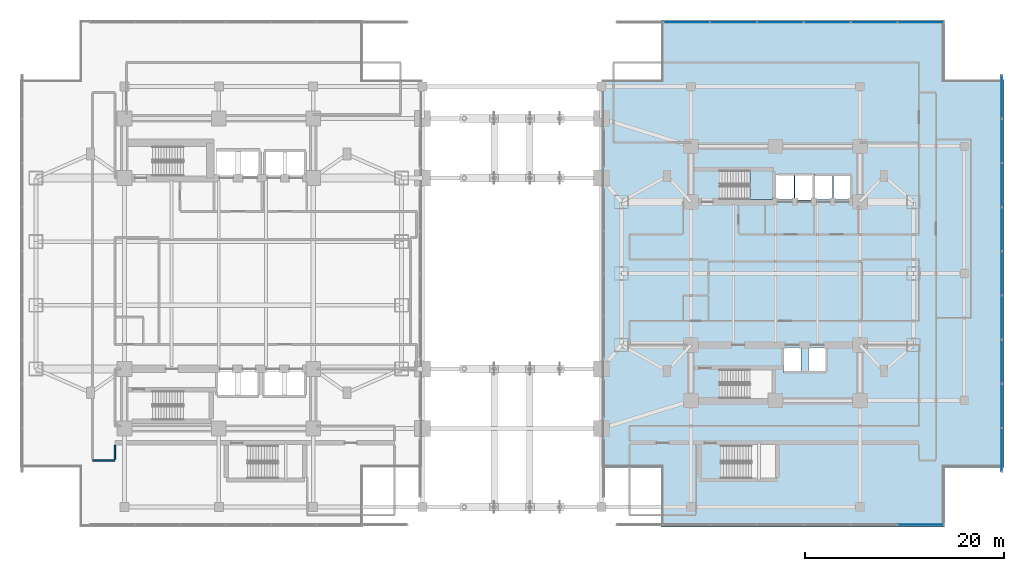
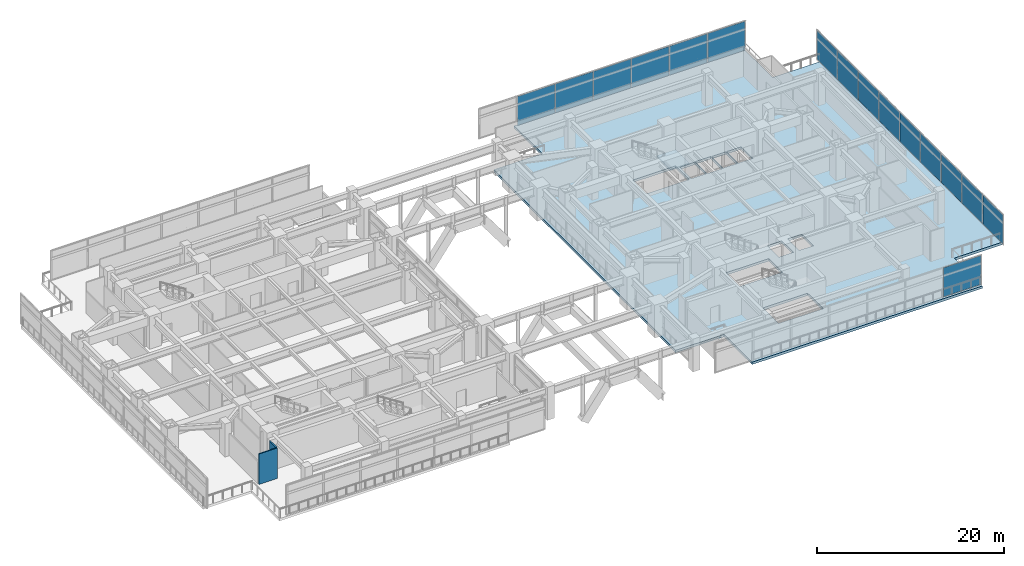
# One storey, part 14 of 30: 16 plates, 2 slabs, 2 walls, 4 elements without a shape of their own.
"""IFC4 building model written with IfcOpenShell, lengths in metres."""

from ifc_helpers import new_model, si_unit, direction, frame, frame_2d, origin, origin_2d, place, context, subcontext, project, spatial, polyline, rectangle, outline, extrude, material, layer, layer_set, type_object, element, aggregate, save


model = new_model("IFC4")

# Units and contexts
model_context = context("Model", 3, precision=1e-05, world=origin(), true_north=direction((0.0, 1.0)))
body_context = subcontext(model_context, "Body", "Model", "MODEL_VIEW")
ifc_project = project(units=[si_unit("LENGTHUNIT", "METRE"), si_unit("AREAUNIT", "SQUARE_METRE"), si_unit("VOLUMEUNIT", "CUBIC_METRE"), si_unit("PLANEANGLEUNIT", "RADIAN"), si_unit("MASSUNIT", "GRAM", prefix="KILO")], contexts=[model_context])

# Site, building, storey
site_placement = place(None, origin())
site = spatial("IfcSite", under=ifc_project, at=site_placement, CompositionType="ELEMENT")
building_placement = place(site_placement, origin())
building = spatial("IfcBuilding", under=site, at=building_placement, Name="Mirazonda Arch Towers", CompositionType="ELEMENT")
storey_placement = place(building_placement, frame((0.0, 0.0, 9.5)))
storey = spatial("IfcBuildingStorey", under=building, at=storey_placement, Name="L02", CompositionType="ELEMENT", Elevation=9.5)

# Curtain wall, plate
ifc_material_1 = material(Name="Anodised Aluminium and Low-E Glass", Category="aluminium")
curtain_wall_type = type_object("IfcCurtainWallType", Name="CW-POD-STORE", PredefinedType="NOTDEFINED", material=ifc_material_1)
curtain_wall_1_placement = place(storey_placement, origin())
curtain_wall_1 = element("IfcCurtainWall", 1, at=curtain_wall_1_placement, inside=storey, type_object=curtain_wall_type, Name="L02 Curtain Wall CW-L02-ES", PredefinedType="NOTDEFINED")
ifc_material_2 = material(Name="Insulated Low-E Solar Glass", Category="glass")
ifc_layer_1 = layer(ifc_material_2, 0.028076171875, Name="PAN-CW-POD-STORE")
ifc_layer_set_1 = layer_set([ifc_layer_1], Name="Insulated Low-E Solar Glass")
plate_type = type_object("IfcPlateType", Name="PAN-CW-POD-STORE", PredefinedType="CURTAIN_PANEL", material=ifc_layer_set_1)
plate_1_placement = place(storey_placement, frame((91.122802734375, 2.719970703125, 0.080078125), z_axis=(0.0, 0.0, 1.0), x_axis=(-1.0, 0.0, 0.0)))
plate_1 = element("IfcPlate", 2, at=plate_1_placement, type_object=plate_type, Name="CW-102 panel 1.1", PredefinedType="CURTAIN_PANEL", context=body_context, shape_type="SweptSolid", body=[
    extrude(rectangle(XDim=4.59423828125, YDim=0.028076171875, at=origin_2d()), origin(), (0.0, 0.0, 1.0), 3.800048828125),
])
aggregate(curtain_wall_1, [plate_1])

# Curtain wall, plates
curtain_wall_2_placement = place(storey_placement, origin())
curtain_wall_2 = element("IfcCurtainWall", 3, at=curtain_wall_2_placement, inside=storey, type_object=curtain_wall_type, Name="L02 Curtain Wall CW-L02-EN", PredefinedType="NOTDEFINED")
plate_2_placement = place(storey_placement, frame((67.571533203125, 53.280029296875, 0.080078125), z_axis=(0.0, 0.0, 1.0), x_axis=(1.0, 0.0, 0.0)))
plate_2 = element("IfcPlate", 4, at=plate_2_placement, type_object=plate_type, Name="CW-102 panel 2.1", PredefinedType="CURTAIN_PANEL", context=body_context, shape_type="SweptSolid", body=[
    extrude(rectangle(XDim=4.63427734375, YDim=0.028076171875, at=origin_2d()), origin(), (0.0, 0.0, 1.0), 3.800048828125),
])
plate_3_placement = place(storey_placement, frame((72.28564453125, 53.280029296875, 0.080078125), z_axis=(0.0, 0.0, 1.0), x_axis=(1.0, 0.0, 0.0)))
plate_3 = element("IfcPlate", 5, at=plate_3_placement, type_object=plate_type, Name="CW-102 panel 3.1", PredefinedType="CURTAIN_PANEL", context=body_context, shape_type="SweptSolid", body=[
    extrude(rectangle(XDim=4.63427734375, YDim=0.028076171875, at=origin_2d()), origin(), (0.0, 0.0, 1.0), 3.800048828125),
])
plate_4_placement = place(storey_placement, frame((77.0, 53.280029296875, 0.080078125), z_axis=(0.0, 0.0, 1.0), x_axis=(1.0, 0.0, 0.0)))
plate_4 = element("IfcPlate", 6, at=plate_4_placement, type_object=plate_type, Name="CW-102 panel 4.1", PredefinedType="CURTAIN_PANEL", context=body_context, shape_type="SweptSolid", body=[
    extrude(rectangle(XDim=4.63427734375, YDim=0.028076171875, at=origin_2d()), origin(), (0.0, 0.0, 1.0), 3.800048828125),
])
plate_5_placement = place(storey_placement, frame((81.71435546875, 53.280029296875, 0.080078125), z_axis=(0.0, 0.0, 1.0), x_axis=(1.0, 0.0, 0.0)))
plate_5 = element("IfcPlate", 7, at=plate_5_placement, type_object=plate_type, Name="CW-102 panel 5.1", PredefinedType="CURTAIN_PANEL", context=body_context, shape_type="SweptSolid", body=[
    extrude(rectangle(XDim=4.63427734375, YDim=0.028076171875, at=origin_2d()), origin(), (0.0, 0.0, 1.0), 3.800048828125),
])
plate_6_placement = place(storey_placement, frame((86.428466796875, 53.280029296875, 0.080078125), z_axis=(0.0, 0.0, 1.0), x_axis=(1.0, 0.0, 0.0)))
plate_6 = element("IfcPlate", 8, at=plate_6_placement, type_object=plate_type, Name="CW-102 panel 6.1", PredefinedType="CURTAIN_PANEL", context=body_context, shape_type="SweptSolid", body=[
    extrude(rectangle(XDim=4.63427734375, YDim=0.028076171875, at=origin_2d()), origin(), (0.0, 0.0, 1.0), 3.800048828125),
])
plate_7_placement = place(storey_placement, frame((91.122802734375, 53.280029296875, 0.080078125), z_axis=(0.0, 0.0, 1.0), x_axis=(1.0, 0.0, 0.0)))
plate_7 = element("IfcPlate", 9, at=plate_7_placement, type_object=plate_type, Name="CW-102 panel 7.1", PredefinedType="CURTAIN_PANEL", context=body_context, shape_type="SweptSolid", body=[
    extrude(rectangle(XDim=4.59423828125, YDim=0.028076171875, at=origin_2d()), origin(), (0.0, 0.0, 1.0), 3.800048828125),
])
aggregate(curtain_wall_2, [plate_2, plate_3, plate_4, plate_5, plate_6, plate_7])

curtain_wall_3_placement = place(storey_placement, origin())
curtain_wall_3 = element("IfcCurtainWall", 10, at=curtain_wall_3_placement, inside=storey, type_object=curtain_wall_type, Name="L02 Curtain Wall CW-L02-EE", PredefinedType="NOTDEFINED")
plate_8_placement = place(storey_placement, frame((99.280029296875, 10.2421875, 0.080078125), z_axis=(0.0, 0.0, 1.0), x_axis=(0.0, 1.0, 0.0)))
plate_8 = element("IfcPlate", 11, at=plate_8_placement, type_object=plate_type, Name="CW-102 panel 1.1", PredefinedType="CURTAIN_PANEL", context=body_context, shape_type="SweptSolid", body=[
    extrude(rectangle(XDim=4.324462890625, YDim=0.028076171875, at=origin_2d()), origin(), (0.0, 0.0, 1.0), 3.800048828125),
])
plate_9_placement = place(storey_placement, frame((99.280029296875, 14.666748046875, 0.080078125), z_axis=(0.0, 0.0, 1.0), x_axis=(0.0, 1.0, 0.0)))
plate_9 = element("IfcPlate", 12, at=plate_9_placement, type_object=plate_type, Name="CW-102 panel 2.1", PredefinedType="CURTAIN_PANEL", context=body_context, shape_type="SweptSolid", body=[
    extrude(rectangle(XDim=4.364501953125, YDim=0.028076171875, at=origin_2d()), origin(), (0.0, 0.0, 1.0), 3.800048828125),
])
plate_10_placement = place(storey_placement, frame((99.280029296875, 19.111083984375, 0.080078125), z_axis=(0.0, 0.0, 1.0), x_axis=(0.0, 1.0, 0.0)))
plate_10 = element("IfcPlate", 13, at=plate_10_placement, type_object=plate_type, Name="CW-102 panel 3.1", PredefinedType="CURTAIN_PANEL", context=body_context, shape_type="SweptSolid", body=[
    extrude(rectangle(XDim=4.364501953125, YDim=0.028076171875, at=origin_2d()), origin(), (0.0, 0.0, 1.0), 3.800048828125),
])
plate_11_placement = place(storey_placement, frame((99.280029296875, 23.5556640625, 0.080078125), z_axis=(0.0, 0.0, 1.0), x_axis=(0.0, 1.0, 0.0)))
plate_11 = element("IfcPlate", 14, at=plate_11_placement, type_object=plate_type, Name="CW-102 panel 4.1", PredefinedType="CURTAIN_PANEL", context=body_context, shape_type="SweptSolid", body=[
    extrude(rectangle(XDim=4.364501953125, YDim=0.028076171875, at=origin_2d()), origin(), (0.0, 0.0, 1.0), 3.800048828125),
])
plate_12_placement = place(storey_placement, frame((99.280029296875, 28.0, 0.080078125), z_axis=(0.0, 0.0, 1.0), x_axis=(0.0, 1.0, 0.0)))
plate_12 = element("IfcPlate", 15, at=plate_12_placement, type_object=plate_type, Name="CW-102 panel 5.1", PredefinedType="CURTAIN_PANEL", context=body_context, shape_type="SweptSolid", body=[
    extrude(rectangle(XDim=4.364501953125, YDim=0.028076171875, at=origin_2d()), origin(), (0.0, 0.0, 1.0), 3.800048828125),
])
plate_13_placement = place(storey_placement, frame((99.280029296875, 32.4443359375, 0.080078125), z_axis=(0.0, 0.0, 1.0), x_axis=(0.0, 1.0, 0.0)))
plate_13 = element("IfcPlate", 16, at=plate_13_placement, type_object=plate_type, Name="CW-102 panel 6.1", PredefinedType="CURTAIN_PANEL", context=body_context, shape_type="SweptSolid", body=[
    extrude(rectangle(XDim=4.364501953125, YDim=0.028076171875, at=origin_2d()), origin(), (0.0, 0.0, 1.0), 3.800048828125),
])
plate_14_placement = place(storey_placement, frame((99.280029296875, 36.888916015625, 0.080078125), z_axis=(0.0, 0.0, 1.0), x_axis=(0.0, 1.0, 0.0)))
plate_14 = element("IfcPlate", 17, at=plate_14_placement, type_object=plate_type, Name="CW-102 panel 7.1", PredefinedType="CURTAIN_PANEL", context=body_context, shape_type="SweptSolid", body=[
    extrude(rectangle(XDim=4.364501953125, YDim=0.028076171875, at=origin_2d()), origin(), (0.0, 0.0, 1.0), 3.800048828125),
])
plate_15_placement = place(storey_placement, frame((99.280029296875, 41.333251953125, 0.080078125), z_axis=(0.0, 0.0, 1.0), x_axis=(0.0, 1.0, 0.0)))
plate_15 = element("IfcPlate", 18, at=plate_15_placement, type_object=plate_type, Name="CW-102 panel 8.1", PredefinedType="CURTAIN_PANEL", context=body_context, shape_type="SweptSolid", body=[
    extrude(rectangle(XDim=4.364501953125, YDim=0.028076171875, at=origin_2d()), origin(), (0.0, 0.0, 1.0), 3.800048828125),
])
plate_16_placement = place(storey_placement, frame((99.280029296875, 45.7578125, 0.080078125), z_axis=(0.0, 0.0, 1.0), x_axis=(0.0, 1.0, 0.0)))
plate_16 = element("IfcPlate", 19, at=plate_16_placement, type_object=plate_type, Name="CW-102 panel 9.1", PredefinedType="CURTAIN_PANEL", context=body_context, shape_type="SweptSolid", body=[
    extrude(rectangle(XDim=4.324462890625, YDim=0.028076171875, at=origin_2d()), origin(), (0.0, 0.0, 1.0), 3.800048828125),
])
aggregate(curtain_wall_3, [plate_8, plate_9, plate_10, plate_11, plate_12, plate_13, plate_14, plate_15, plate_16])

# Stair, slab
ifc_material_3 = material(Name="Concrete C40/50", Category="concrete")
stair_type = type_object("IfcStairType", Name="STAIR-CORE-1400", PredefinedType="HALF_TURN_STAIR", material=ifc_material_3)
stair_placement = place(storey_placement, origin())
stair = element("IfcStair", 20, at=stair_placement, inside=storey, type_object=stair_type, Name="L02 Protected Exit Stair ST-T2N", PredefinedType="HALF_TURN_STAIR")
ifc_layer_2 = layer(ifc_material_3, 0.18994140625, Name="SLAB-LANDING-190")
ifc_layer_set_2 = layer_set([ifc_layer_2], Name="Concrete C40/50")
slab_type_1 = type_object("IfcSlabType", Name="SLAB-LANDING-190", PredefinedType="LANDING", material=ifc_layer_set_2)
slab_1_placement = place(storey_placement, frame((0.0, 0.0, 1.949951171875)))
slab_1 = element("IfcSlab", 21, at=slab_1_placement, type_object=slab_type_1, Name="ST-T2N landing 1", PredefinedType="LANDING", context=body_context, shape_type="SweptSolid", body=[
    extrude(outline(polyline([(73.929931640625, 35.419921875), (76.22998046875, 35.419921875), (76.22998046875, 38.360107421875), (73.929931640625, 38.360107421875), (73.929931640625, 35.419921875)])), origin(), (0.0, 0.0, 1.0), 0.199951171875),
])
aggregate(stair, [slab_1])

# Slab
ifc_layer_3 = layer(ifc_material_3, 0.320068359375, Name="SLAB-POD-320")
ifc_layer_set_3 = layer_set([ifc_layer_3], Name="Concrete C40/50")
slab_type_2 = type_object("IfcSlabType", Name="SLAB-POD-320", PredefinedType="FLOOR", material=ifc_layer_set_3)
slab_2_placement = place(storey_placement, frame((0.0, 0.0, -0.320068359375)))
element("IfcSlab", 22, at=slab_2_placement, inside=storey, type_object=slab_type_2, Name="L02 East Podium Floor Slab", PredefinedType="FLOOR", context=body_context, shape_type="SweptSolid", body=[
    extrude(outline(polyline([(65.0, 2.5), (93.5, 2.5), (93.5, 8.5), (99.5, 8.5), (99.5, 47.5), (93.5, 47.5), (93.5, 53.5), (65.0, 53.5), (65.0, 47.5), (59.0, 47.5), (59.0, 8.5), (65.0, 8.5), (65.0, 2.5)]), holes=[polyline([(84.110107421875, 37.93994140625), (84.110107421875, 35.4599609375), (82.330078125, 35.4599609375), (82.330078125, 37.93994140625), (84.110107421875, 37.93994140625)]), polyline([(80.449951171875, 37.93994140625), (82.22998046875, 37.93994140625), (82.22998046875, 35.4599609375), (80.449951171875, 35.4599609375), (80.449951171875, 37.93994140625)]), polyline([(79.81005859375, 20.5400390625), (81.590087890625, 20.5400390625), (81.590087890625, 18.06005859375), (79.81005859375, 18.06005859375), (79.81005859375, 20.5400390625)]), polyline([(78.47998046875, 37.989990234375), (80.360107421875, 37.989990234375), (80.360107421875, 35.409912109375), (78.47998046875, 35.409912109375), (78.47998046875, 37.989990234375)]), polyline([(77.31005859375, 20.5400390625), (79.090087890625, 20.5400390625), (79.090087890625, 18.06005859375), (77.31005859375, 18.06005859375), (77.31005859375, 20.5400390625)]), polyline([(76.510009765625, 37.93994140625), (78.389892578125, 37.93994140625), (78.389892578125, 35.4599609375), (76.510009765625, 35.4599609375), (76.510009765625, 37.93994140625)]), polyline([(71.074951171875, 7.35009765625), (71.074951171875, 10.68994140625), (76.60009765625, 10.68994140625), (76.60009765625, 7.35009765625), (71.074951171875, 7.35009765625)]), polyline([(70.925048828125, 38.360107421875), (76.22998046875, 38.360107421875), (76.22998046875, 35.419921875), (70.925048828125, 35.419921875), (70.925048828125, 38.360107421875)]), polyline([(70.925048828125, 15.419921875), (70.925048828125, 18.360107421875), (76.22998046875, 18.360107421875), (76.22998046875, 15.419921875), (70.925048828125, 15.419921875)])]), origin(), (0.0, 0.0, 1.0), 0.320068359375),
])

# Walls
ifc_material_4 = material(Name="Fire-Rated Gypsum Stud Partition")
ifc_layer_4 = layer(ifc_material_4, 0.14990234375, Name="WALL-PART-CORR-150")
ifc_layer_set_4 = layer_set([ifc_layer_4], Name="Fire-Rated Gypsum Stud Partition")
wall_type = type_object("IfcWallType", Name="WALL-PART-CORR-150", PredefinedType="PARTITIONING", material=ifc_layer_set_4)
wall_1_placement = place(storey_placement, frame((7.800048828125, 9.199951171875, 0.0), z_axis=(0.0, 0.0, 1.0), x_axis=(1.0, 0.0, 0.0)))
element("IfcWall", 23, at=wall_1_placement, inside=storey, type_object=wall_type, Name="L02 Interior Partition 005", PredefinedType="PARTITIONING", context=body_context, shape_type="SweptSolid", body=[
    extrude(rectangle(XDim=2.25, YDim=0.14990234375, at=frame_2d((1.125, 0.0))), origin(), (0.0, 0.0, 1.0), 3.97998046875),
])
wall_2_placement = place(storey_placement, frame((10.050048828125, 9.284912109375, 0.0), z_axis=(0.0, 0.0, 1.0), x_axis=(0.0, 1.0, 0.0)))
element("IfcWall", 24, at=wall_2_placement, inside=storey, type_object=wall_type, Name="L02 Interior Partition 051", PredefinedType="PARTITIONING", context=body_context, shape_type="SweptSolid", body=[
    extrude(rectangle(XDim=1.43017578125, YDim=0.14990234375, at=frame_2d((0.715087890625, 0.0))), origin(), (0.0, 0.0, 1.0), 3.97998046875),
])

save(model, "model.ifc")
